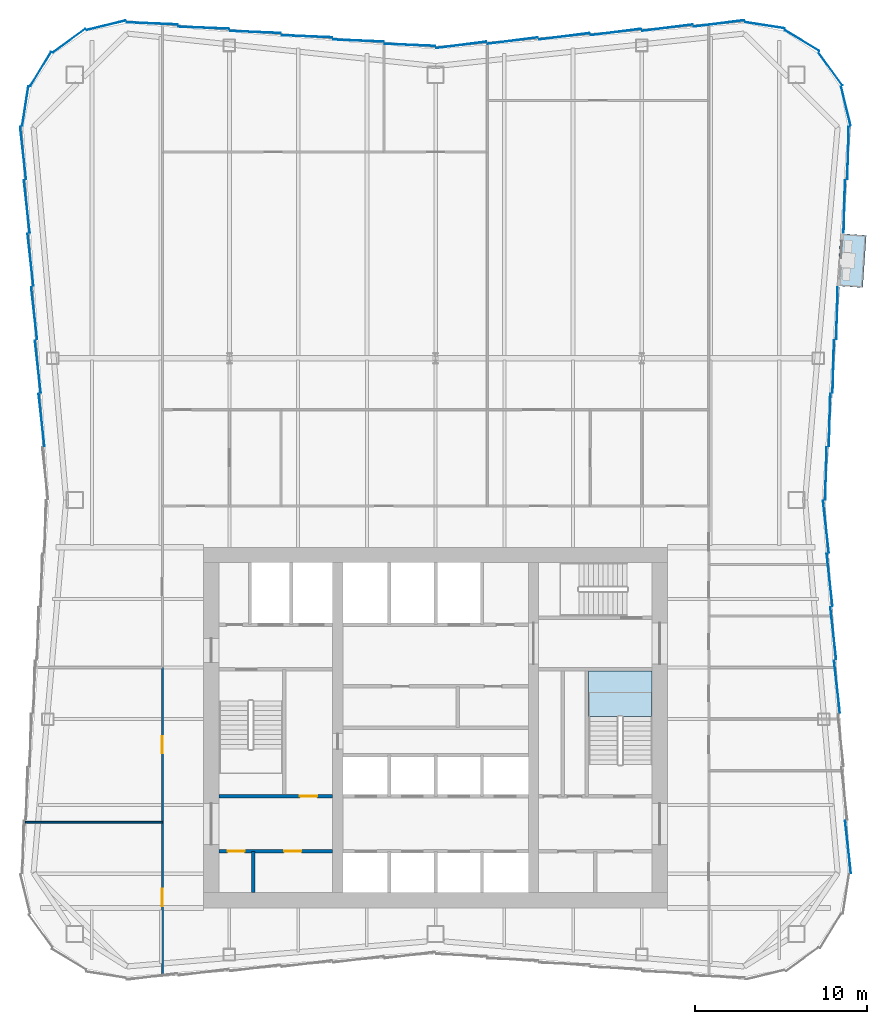
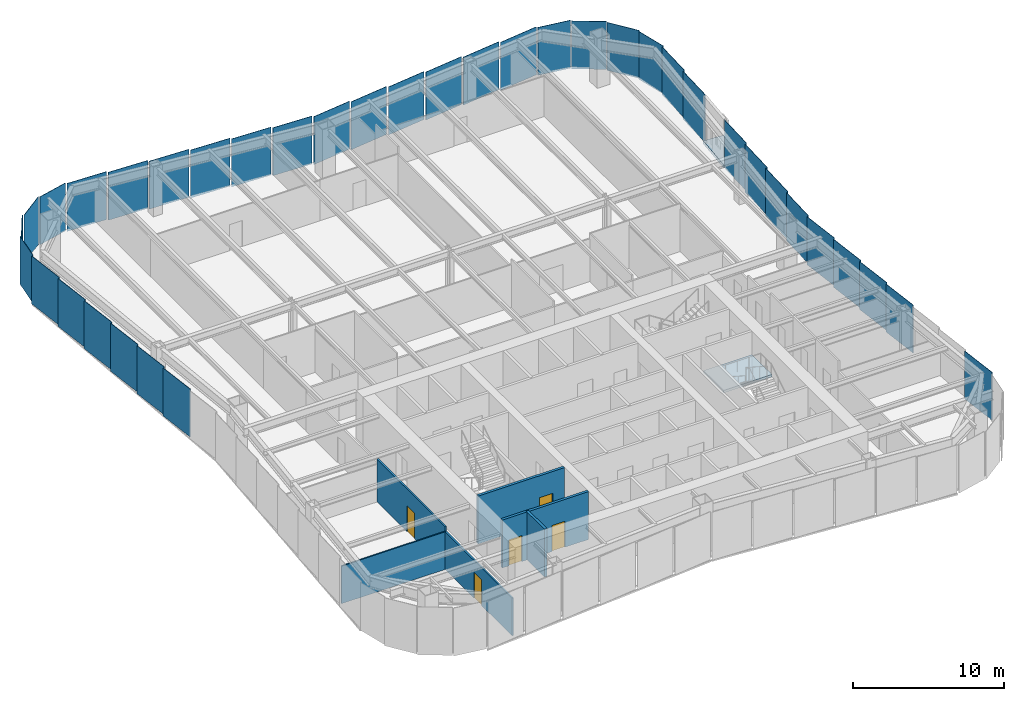
# One storey, part 4 of 10: 37 plates, 6 walls, 5 doors, 2 slabs, 5 openings, 6 elements without a shape of their own.
"""IFC4 building model written with IfcOpenShell, lengths in metres."""

from ifc_helpers import new_model, si_unit, direction, frame, frame_2d, origin, origin_2d, place, context, subcontext, project, spatial, polyline, rectangle, outline, extrude, material, layer, layer_set, type_object, element, fill, aggregate, save


model = new_model("IFC4")

# Units and contexts
model_context = context("Model", 3, precision=1e-05, world=origin(), true_north=direction((0.0, 1.0)))
body_context = subcontext(model_context, "Body", "Model", "MODEL_VIEW")
ifc_project = project(units=[si_unit("LENGTHUNIT", "METRE"), si_unit("AREAUNIT", "SQUARE_METRE"), si_unit("VOLUMEUNIT", "CUBIC_METRE"), si_unit("PLANEANGLEUNIT", "RADIAN"), si_unit("MASSUNIT", "GRAM", prefix="KILO")], contexts=[model_context])

# Site, building, storey
site_placement = place(None, origin())
site = spatial("IfcSite", under=ifc_project, at=site_placement, CompositionType="ELEMENT")
building_placement = place(site_placement, origin())
building = spatial("IfcBuilding", under=site, at=building_placement, Name="Verdant Reach Tower", CompositionType="ELEMENT")
storey_placement = place(building_placement, frame((0.0, 0.0, 210.0)))
storey = spatial("IfcBuildingStorey", under=building, at=storey_placement, Name="L48", CompositionType="ELEMENT", Elevation=210.0)

# Stair, slab
ifc_material_1 = material(Name="Concrete C40/50", Category="concrete")
stair_type = type_object("IfcStairType", Name="CO-STAIR", PredefinedType="HALF_TURN_STAIR", material=ifc_material_1)
stair_placement = place(storey_placement, origin())
stair = element("IfcStair", 1, at=stair_placement, inside=storey, type_object=stair_type, Name="L48 Exit stair 2", PredefinedType="HALF_TURN_STAIR")
ifc_layer_1 = layer(ifc_material_1, 0.199951171875)
ifc_layer_set_1 = layer_set([ifc_layer_1], Name="CO-STAIR-LANDING")
slab_type_1 = type_object("IfcSlabType", Name="CO-STAIR-LANDING", PredefinedType="LANDING", material=ifc_layer_set_1)
slab_1_placement = place(storey_placement, frame((0.0, 0.0, 1.800048828125)))
slab_1 = element("IfcSlab", 2, at=slab_1_placement, type_object=slab_type_1, Name="ST-2 landing 1", PredefinedType="LANDING", context=body_context, shape_type="SweptSolid", body=[
    extrude(outline(polyline([(12.60009765625, 28.64990234375), (12.60009765625, 31.300048828125), (8.89990234375, 31.300048828125), (8.89990234375, 28.64990234375), (12.60009765625, 28.64990234375)])), origin(), (0.0, 0.0, 1.0), 0.199951171875),
])
aggregate(stair, [slab_1])

# Slab
ifc_material_2 = material(Name="Concrete C35/45", Category="concrete")
ifc_layer_2 = layer(ifc_material_2, 0.25)
ifc_layer_set_2 = layer_set([ifc_layer_2], Name="EN-BALCONY SLAB")
slab_type_2 = type_object("IfcSlabType", Name="EN-BALCONY SLAB", PredefinedType="FLOOR", material=ifc_layer_set_2)
slab_2_placement = place(storey_placement, frame((0.0, 0.0, -0.25)))
element("IfcSlab", 3, at=slab_2_placement, inside=storey, type_object=slab_type_2, Name="Balcony slab 1, L48", PredefinedType="FLOOR", context=body_context, shape_type="SweptSolid", body=[
    extrude(outline(polyline([(23.359375, 53.71142578125), (23.569091796875, 56.752685546875), (25.065673828125, 56.649658203125), (24.85595703125, 53.6083984375), (23.359375, 53.71142578125)])), origin(), (0.0, 0.0, 1.0), 0.25),
])

# Curtain wall, plates
ifc_material_3 = material(Name="Anodised aluminium", Category="aluminium")
curtain_wall_type = type_object("IfcCurtainWallType", Name="EN-CW SYSTEM Z3", PredefinedType="NOTDEFINED", material=ifc_material_3)
curtain_wall_1_placement = place(storey_placement, origin())
curtain_wall_1 = element("IfcCurtainWall", 4, at=curtain_wall_1_placement, inside=storey, type_object=curtain_wall_type, Name="Curtain wall east, L48", PredefinedType="NOTDEFINED")
ifc_material_4 = material(Name="Tinted glass with champagne spandrel", Category="glass")
ifc_layer_3 = layer(ifc_material_4, 0.031982421875)
ifc_layer_set_3 = layer_set([ifc_layer_3], Name="EN-PANEL CHAMPAGNE")
plate_type_1 = type_object("IfcPlateType", Name="EN-PANEL CHAMPAGNE", PredefinedType="CURTAIN_PANEL", material=ifc_layer_set_3)
plate_1_placement = place(storey_placement, frame((23.14453125, 33.48974609375, -0.22412109375), z_axis=(0.0, 0.0, 1.0), x_axis=(-0.110518162674, 0.993874104562, 0.0)))
plate_1 = element("IfcPlate", 5, at=plate_1_placement, type_object=plate_type_1, Name="Glass panel east face part 1 5.1, L48", PredefinedType="CURTAIN_PANEL", context=body_context, shape_type="SweptSolid", body=[
    extrude(rectangle(XDim=3.052490234375, YDim=0.031982421875, at=origin_2d()), origin(), (0.0, 0.0, 1.0), 3.8740234375),
])
plate_2_placement = place(storey_placement, frame((22.93017578125, 36.5966796875, -0.22412109375), z_axis=(0.0, 0.0, 1.0), x_axis=(-0.110518162674, 0.993874104562, 0.0)))
plate_2 = element("IfcPlate", 6, at=plate_2_placement, type_object=plate_type_1, Name="Glass panel east face part 1 6.1, L48", PredefinedType="CURTAIN_PANEL", context=body_context, shape_type="SweptSolid", body=[
    extrude(rectangle(XDim=3.052490234375, YDim=0.031982421875, at=origin_2d()), origin(), (0.0, 0.0, 1.0), 3.8740234375),
])
plate_3_placement = place(storey_placement, frame((22.716064453125, 39.7001953125, -0.22412109375), z_axis=(0.0, 0.0, 1.0), x_axis=(-0.110600785385, 0.993864913493, 0.0)))
plate_3 = element("IfcPlate", 7, at=plate_3_placement, type_object=plate_type_1, Name="Glass panel east face part 1 7.1, L48", PredefinedType="CURTAIN_PANEL", context=body_context, shape_type="SweptSolid", body=[
    extrude(rectangle(XDim=3.044921875, YDim=0.031982421875, at=origin_2d()), origin(), (0.0, 0.0, 1.0), 3.8740234375),
])
plate_4_placement = place(storey_placement, frame((22.716064453125, 42.7998046875, -0.22412109375), z_axis=(0.0, 0.0, 1.0), x_axis=(0.027048420339, 0.999634124546, 0.0)))
plate_4 = element("IfcPlate", 8, at=plate_4_placement, type_object=plate_type_1, Name="Glass panel east face part 2 1.1, L48", PredefinedType="CURTAIN_PANEL", context=body_context, shape_type="SweptSolid", body=[
    extrude(rectangle(XDim=3.044921875, YDim=0.031982421875, at=origin_2d()), origin(), (0.0, 0.0, 1.0), 3.8740234375),
])
plate_5_placement = place(storey_placement, frame((24.001708984375, 61.446044921875, -0.22412109375), z_axis=(0.0, 0.0, 1.0), x_axis=(0.026659626966, 0.999644568979, 0.0)))
plate_5 = element("IfcPlate", 9, at=plate_5_placement, type_object=plate_type_1, Name="Glass panel east face part 2 7.1, L48", PredefinedType="CURTAIN_PANEL", context=body_context, shape_type="SweptSolid", body=[
    extrude(rectangle(XDim=3.06689453125, YDim=0.031982421875, at=origin_2d()), origin(), (0.0, 0.0, 1.0), 3.8740234375),
])

curtain_wall_2_placement = place(storey_placement, origin())
curtain_wall_2 = element("IfcCurtainWall", 10, at=curtain_wall_2_placement, inside=storey, type_object=curtain_wall_type, Name="Curtain wall north, L48", PredefinedType="NOTDEFINED")
plate_6_placement = place(storey_placement, frame((10.490966796875, 68.483642578125, -0.22412109375), z_axis=(0.0, 0.0, 1.0), x_axis=(-0.992194034542, -0.124703639961, 0.0)))
plate_6 = element("IfcPlate", 11, at=plate_6_placement, type_object=plate_type_1, Name="Glass panel north face part 1 3.1, L48", PredefinedType="CURTAIN_PANEL", context=body_context, shape_type="SweptSolid", body=[
    extrude(rectangle(XDim=2.948486328125, YDim=0.031982421875, at=origin_2d()), origin(), (0.0, 0.0, 1.0), 3.8740234375),
])
plate_7_placement = place(storey_placement, frame((7.490966796875, 68.233642578125, -0.22412109375), z_axis=(0.0, 0.0, 1.0), x_axis=(-0.992194034542, -0.124703639961, 0.0)))
plate_7 = element("IfcPlate", 12, at=plate_7_placement, type_object=plate_type_1, Name="Glass panel north face part 1 4.1, L48", PredefinedType="CURTAIN_PANEL", context=body_context, shape_type="SweptSolid", body=[
    extrude(rectangle(XDim=2.948486328125, YDim=0.031982421875, at=origin_2d()), origin(), (0.0, 0.0, 1.0), 3.8740234375),
])
plate_8_placement = place(storey_placement, frame((4.490966796875, 67.983642578125, -0.22412109375), z_axis=(0.0, 0.0, 1.0), x_axis=(-0.992194034542, -0.124703639961, 0.0)))
plate_8 = element("IfcPlate", 13, at=plate_8_placement, type_object=plate_type_1, Name="Glass panel north face part 1 5.1, L48", PredefinedType="CURTAIN_PANEL", context=body_context, shape_type="SweptSolid", body=[
    extrude(rectangle(XDim=2.948486328125, YDim=0.031982421875, at=origin_2d()), origin(), (0.0, 0.0, 1.0), 3.8740234375),
])
plate_9_placement = place(storey_placement, frame((-13.490966796875, 68.733642578125, -0.22412109375), z_axis=(0.0, 0.0, 1.0), x_axis=(-0.999149202059, 0.041241629766, 0.0)))
plate_9 = element("IfcPlate", 14, at=plate_9_placement, type_object=plate_type_1, Name="Glass panel north face part 2 5.1, L48", PredefinedType="CURTAIN_PANEL", context=body_context, shape_type="SweptSolid", body=[
    extrude(rectangle(XDim=2.948486328125, YDim=0.031982421875, at=origin_2d()), origin(), (0.0, 0.0, 1.0), 3.8740234375),
])
plate_10_placement = place(storey_placement, frame((-16.49853515625, 68.983642578125, -0.22412109375), z_axis=(0.0, 0.0, 1.0), x_axis=(-0.999163623568, 0.040890748818, 0.0)))
plate_10 = element("IfcPlate", 15, at=plate_10_placement, type_object=plate_type_1, Name="Glass panel north face part 2 6.1, L48", PredefinedType="CURTAIN_PANEL", context=body_context, shape_type="SweptSolid", body=[
    extrude(rectangle(XDim=2.963623046875, YDim=0.031982421875, at=origin_2d()), origin(), (0.0, 0.0, 1.0), 3.8740234375),
])

curtain_wall_3_placement = place(storey_placement, origin())
curtain_wall_3 = element("IfcCurtainWall", 16, at=curtain_wall_3_placement, inside=storey, type_object=curtain_wall_type, Name="Curtain wall north-west corner, L48", PredefinedType="NOTDEFINED")
plate_11_placement = place(storey_placement, frame((-22.98193359375, 66.328857421875, -0.22412109375), z_axis=(0.0, 0.0, 1.0), x_axis=(-0.520291550457, -0.853988701636, 0.0)))
plate_11 = element("IfcPlate", 17, at=plate_11_placement, type_object=plate_type_1, Name="Glass panel north-west corner 3.1, L48", PredefinedType="CURTAIN_PANEL", context=body_context, shape_type="SweptSolid", body=[
    extrude(rectangle(XDim=2.321533203125, YDim=0.031982421875, at=origin_2d()), origin(), (0.0, 0.0, 1.0), 3.8740234375),
])
plate_12_placement = place(storey_placement, frame((-23.87646484375, 64.17236328125, -0.22412109375), z_axis=(0.0, 0.0, 1.0), x_axis=(-0.154311870796, -0.988022189291, 0.0)))
plate_12 = element("IfcPlate", 18, at=plate_12_placement, type_object=plate_type_1, Name="Glass panel north-west corner 4.1, L48", PredefinedType="CURTAIN_PANEL", context=body_context, shape_type="SweptSolid", body=[
    extrude(rectangle(XDim=2.314697265625, YDim=0.031982421875, at=origin_2d()), origin(), (0.0, 0.0, 1.0), 3.8740234375),
])

curtain_wall_4_placement = place(storey_placement, origin())
curtain_wall_4 = element("IfcCurtainWall", 19, at=curtain_wall_4_placement, inside=storey, type_object=curtain_wall_type, Name="Curtain wall west, L48", PredefinedType="NOTDEFINED")
plate_13_placement = place(storey_placement, frame((-23.787353515625, 58.331787109375, -0.22412109375), z_axis=(0.0, 0.0, 1.0), x_axis=(0.110518162674, -0.993874104562, 0.0)))
plate_13 = element("IfcPlate", 20, at=plate_13_placement, type_object=plate_type_1, Name="Glass panel west face part 1 2.1, L48", PredefinedType="CURTAIN_PANEL", context=body_context, shape_type="SweptSolid", body=[
    extrude(rectangle(XDim=3.052490234375, YDim=0.031982421875, at=origin_2d()), origin(), (0.0, 0.0, 1.0), 3.8740234375),
])
plate_14_placement = place(storey_placement, frame((-23.572998046875, 55.224609375, -0.22412109375), z_axis=(0.0, 0.0, 1.0), x_axis=(0.110518162674, -0.993874104562, 0.0)))
plate_14 = element("IfcPlate", 21, at=plate_14_placement, type_object=plate_type_1, Name="Glass panel west face part 1 3.1, L48", PredefinedType="CURTAIN_PANEL", context=body_context, shape_type="SweptSolid", body=[
    extrude(rectangle(XDim=3.052490234375, YDim=0.031982421875, at=origin_2d()), origin(), (0.0, 0.0, 1.0), 3.8740234375),
])

# Plate
ifc_material_5 = material(Name="Tinted glass with copper spandrel", Category="glass")
ifc_layer_4 = layer(ifc_material_5, 0.031982421875)
ifc_layer_set_4 = layer_set([ifc_layer_4], Name="EN-PANEL COPPER")
plate_type_2 = type_object("IfcPlateType", Name="EN-PANEL COPPER", PredefinedType="CURTAIN_PANEL", material=ifc_layer_set_4)
plate_15_placement = place(storey_placement, frame((24.001708984375, 21.053955078125, -0.22412109375), z_axis=(0.0, 0.0, 1.0), x_axis=(-0.110214229533, 0.993907854687, 0.0)))
plate_15 = element("IfcPlate", 22, at=plate_15_placement, type_object=plate_type_2, Name="Glass panel east face part 1 1.1, L48", PredefinedType="CURTAIN_PANEL", context=body_context, shape_type="SweptSolid", body=[
    extrude(rectangle(XDim=3.06689453125, YDim=0.031982421875, at=origin_2d()), origin(), (0.0, 0.0, 1.0), 3.8740234375),
])

plate_16_placement = place(storey_placement, frame((22.93017578125, 45.9033203125, -0.22412109375), z_axis=(0.0, 0.0, 1.0), x_axis=(0.026965318308, 0.999636369691, 0.0)))
plate_16 = element("IfcPlate", 23, at=plate_16_placement, type_object=plate_type_2, Name="Glass panel east face part 2 2.1, L48", PredefinedType="CURTAIN_PANEL", context=body_context, shape_type="SweptSolid", body=[
    extrude(rectangle(XDim=3.052490234375, YDim=0.031982421875, at=origin_2d()), origin(), (0.0, 0.0, 1.0), 3.8740234375),
])

plate_17_placement = place(storey_placement, frame((23.14453125, 49.01025390625, -0.22412109375), z_axis=(0.0, 0.0, 1.0), x_axis=(0.026965318308, 0.999636369691, 0.0)))
plate_17 = element("IfcPlate", 24, at=plate_17_placement, type_object=plate_type_2, Name="Glass panel east face part 2 3.1, L48", PredefinedType="CURTAIN_PANEL", context=body_context, shape_type="SweptSolid", body=[
    extrude(rectangle(XDim=3.052490234375, YDim=0.031982421875, at=origin_2d()), origin(), (0.0, 0.0, 1.0), 3.8740234375),
])

# Curtain wall, plates
curtain_wall_5_placement = place(storey_placement, origin())
curtain_wall_5 = element("IfcCurtainWall", 25, at=curtain_wall_5_placement, inside=storey, type_object=curtain_wall_type, Name="Curtain wall north-east corner, L48", PredefinedType="NOTDEFINED")
plate_18_placement = place(storey_placement, frame((23.87646484375, 64.17236328125, -0.22412109375), z_axis=(0.0, 0.0, 1.0), x_axis=(-0.23644624331, 0.97164457186, 0.0)))
plate_18 = element("IfcPlate", 26, at=plate_18_placement, type_object=plate_type_2, Name="Glass panel north-east corner 1.1, L48", PredefinedType="CURTAIN_PANEL", context=body_context, shape_type="SweptSolid", body=[
    extrude(rectangle(XDim=2.314697265625, YDim=0.031982421875, at=origin_2d()), origin(), (0.0, 0.0, 1.0), 3.8740234375),
])
plate_19_placement = place(storey_placement, frame((22.98193359375, 66.328857421875, -0.22412109375), z_axis=(0.0, 0.0, 1.0), x_axis=(-0.589926747542, 0.807456768214, 0.0)))
plate_19 = element("IfcPlate", 27, at=plate_19_placement, type_object=plate_type_2, Name="Glass panel north-east corner 2.1, L48", PredefinedType="CURTAIN_PANEL", context=body_context, shape_type="SweptSolid", body=[
    extrude(rectangle(XDim=2.321533203125, YDim=0.031982421875, at=origin_2d()), origin(), (0.0, 0.0, 1.0), 3.8740234375),
])

# Plate
plate_20_placement = place(storey_placement, frame((1.495361328125, 67.73388671875, -0.22412109375), z_axis=(0.0, 0.0, 1.0), x_axis=(-0.992178382939, -0.124828107529, 0.0)))
plate_20 = element("IfcPlate", 28, at=plate_20_placement, type_object=plate_type_2, Name="Glass panel north face part 1 6.1, L48", PredefinedType="CURTAIN_PANEL", context=body_context, shape_type="SweptSolid", body=[
    extrude(rectangle(XDim=2.939453125, YDim=0.031982421875, at=origin_2d()), origin(), (0.0, 0.0, 1.0), 3.8740234375),
])

plate_21_placement = place(storey_placement, frame((-1.495361328125, 67.73388671875, -0.22412109375), z_axis=(0.0, 0.0, 1.0), x_axis=(-0.999144020525, 0.041366970501, 0.0)))
plate_21 = element("IfcPlate", 29, at=plate_21_placement, type_object=plate_type_2, Name="Glass panel north face part 2 1.1, L48", PredefinedType="CURTAIN_PANEL", context=body_context, shape_type="SweptSolid", body=[
    extrude(rectangle(XDim=2.939453125, YDim=0.031982421875, at=origin_2d()), origin(), (0.0, 0.0, 1.0), 3.8740234375),
])

plate_22_placement = place(storey_placement, frame((-23.358642578125, 52.117431640625, -0.22412109375), z_axis=(0.0, 0.0, 1.0), x_axis=(0.110518162674, -0.993874104562, 0.0)))
plate_22 = element("IfcPlate", 30, at=plate_22_placement, type_object=plate_type_2, Name="Glass panel west face part 1 4.1, L48", PredefinedType="CURTAIN_PANEL", context=body_context, shape_type="SweptSolid", body=[
    extrude(rectangle(XDim=3.052490234375, YDim=0.031982421875, at=origin_2d()), origin(), (0.0, 0.0, 1.0), 3.8740234375),
])

plate_23_placement = place(storey_placement, frame((-23.14453125, 49.01025390625, -0.22412109375), z_axis=(0.0, 0.0, 1.0), x_axis=(0.110518162674, -0.993874104562, 0.0)))
plate_23 = element("IfcPlate", 31, at=plate_23_placement, type_object=plate_type_2, Name="Glass panel west face part 1 5.1, L48", PredefinedType="CURTAIN_PANEL", context=body_context, shape_type="SweptSolid", body=[
    extrude(rectangle(XDim=3.052490234375, YDim=0.031982421875, at=origin_2d()), origin(), (0.0, 0.0, 1.0), 3.8740234375),
])

plate_24_placement = place(storey_placement, frame((-22.93017578125, 45.9033203125, -0.22412109375), z_axis=(0.0, 0.0, 1.0), x_axis=(0.110518162674, -0.993874104562, 0.0)))
plate_24 = element("IfcPlate", 32, at=plate_24_placement, type_object=plate_type_2, Name="Glass panel west face part 1 6.1, L48", PredefinedType="CURTAIN_PANEL", context=body_context, shape_type="SweptSolid", body=[
    extrude(rectangle(XDim=3.052490234375, YDim=0.031982421875, at=origin_2d()), origin(), (0.0, 0.0, 1.0), 3.8740234375),
])

ifc_material_6 = material(Name="Tinted glass with dark bronze spandrel", Category="glass")
ifc_layer_5 = layer(ifc_material_6, 0.031982421875)
ifc_layer_set_5 = layer_set([ifc_layer_5], Name="EN-PANEL DARK")
plate_type_3 = type_object("IfcPlateType", Name="EN-PANEL DARK", PredefinedType="CURTAIN_PANEL", material=ifc_layer_set_5)
plate_25_placement = place(storey_placement, frame((23.358642578125, 30.382568359375, -0.22412109375), z_axis=(0.0, 0.0, 1.0), x_axis=(-0.110518162674, 0.993874104562, 0.0)))
plate_25 = element("IfcPlate", 33, at=plate_25_placement, type_object=plate_type_3, Name="Glass panel east face part 1 4.1, L48", PredefinedType="CURTAIN_PANEL", context=body_context, shape_type="SweptSolid", body=[
    extrude(rectangle(XDim=3.052490234375, YDim=0.031982421875, at=origin_2d()), origin(), (0.0, 0.0, 1.0), 3.8740234375),
])

plate_26_placement = place(storey_placement, frame((23.358642578125, 52.117431640625, -0.22412109375), z_axis=(0.0, 0.0, 1.0), x_axis=(0.026965318308, 0.999636369691, 0.0)))
plate_26 = element("IfcPlate", 34, at=plate_26_placement, type_object=plate_type_3, Name="Glass panel east face part 2 4.1, L48", PredefinedType="CURTAIN_PANEL", context=body_context, shape_type="SweptSolid", body=[
    extrude(rectangle(XDim=3.052490234375, YDim=0.031982421875, at=origin_2d()), origin(), (0.0, 0.0, 1.0), 3.8740234375),
])

plate_27_placement = place(storey_placement, frame((23.787353515625, 58.331787109375, -0.22412109375), z_axis=(0.0, 0.0, 1.0), x_axis=(0.026965318308, 0.999636369691, 0.0)))
plate_27 = element("IfcPlate", 35, at=plate_27_placement, type_object=plate_type_3, Name="Glass panel east face part 2 6.1, L48", PredefinedType="CURTAIN_PANEL", context=body_context, shape_type="SweptSolid", body=[
    extrude(rectangle(XDim=3.052490234375, YDim=0.031982421875, at=origin_2d()), origin(), (0.0, 0.0, 1.0), 3.8740234375),
])

aggregate(curtain_wall_1, [plate_15, plate_25, plate_1, plate_2, plate_3, plate_4, plate_16, plate_17, plate_26, plate_27, plate_5])

plate_28_placement = place(storey_placement, frame((21.328857421875, 67.98193359375, -0.22412109375), z_axis=(0.0, 0.0, 1.0), x_axis=(-0.853988701636, 0.520291550457, 0.0)))
plate_28 = element("IfcPlate", 36, at=plate_28_placement, type_object=plate_type_3, Name="Glass panel north-east corner 3.1, L48", PredefinedType="CURTAIN_PANEL", context=body_context, shape_type="SweptSolid", body=[
    extrude(rectangle(XDim=2.321533203125, YDim=0.031982421875, at=origin_2d()), origin(), (0.0, 0.0, 1.0), 3.8740234375),
])

plate_29_placement = place(storey_placement, frame((19.171875, 68.87646484375, -0.22412109375), z_axis=(0.0, 0.0, 1.0), x_axis=(-0.988029071555, 0.154267798848, 0.0)))
plate_29 = element("IfcPlate", 37, at=plate_29_placement, type_object=plate_type_3, Name="Glass panel north-east corner 4.1, L48", PredefinedType="CURTAIN_PANEL", context=body_context, shape_type="SweptSolid", body=[
    extrude(rectangle(XDim=2.3154296875, YDim=0.031982421875, at=origin_2d()), origin(), (0.0, 0.0, 1.0), 3.8740234375),
])

aggregate(curtain_wall_5, [plate_18, plate_19, plate_28, plate_29])

plate_30_placement = place(storey_placement, frame((16.49853515625, 68.983642578125, -0.22412109375), z_axis=(0.0, 0.0, 1.0), x_axis=(-0.992237766434, -0.124355196363, 0.0)))
plate_30 = element("IfcPlate", 38, at=plate_30_placement, type_object=plate_type_3, Name="Glass panel north face part 1 1.1, L48", PredefinedType="CURTAIN_PANEL", context=body_context, shape_type="SweptSolid", body=[
    extrude(rectangle(XDim=2.963623046875, YDim=0.031982421875, at=origin_2d()), origin(), (0.0, 0.0, 1.0), 3.8740234375),
])

plate_31_placement = place(storey_placement, frame((13.490966796875, 68.733642578125, -0.22412109375), z_axis=(0.0, 0.0, 1.0), x_axis=(-0.992194034542, -0.124703639961, 0.0)))
plate_31 = element("IfcPlate", 39, at=plate_31_placement, type_object=plate_type_3, Name="Glass panel north face part 1 2.1, L48", PredefinedType="CURTAIN_PANEL", context=body_context, shape_type="SweptSolid", body=[
    extrude(rectangle(XDim=2.948486328125, YDim=0.031982421875, at=origin_2d()), origin(), (0.0, 0.0, 1.0), 3.8740234375),
])

plate_32_placement = place(storey_placement, frame((-4.490966796875, 67.983642578125, -0.22412109375), z_axis=(0.0, 0.0, 1.0), x_axis=(-0.999149202059, 0.041241629766, 0.0)))
plate_32 = element("IfcPlate", 40, at=plate_32_placement, type_object=plate_type_3, Name="Glass panel north face part 2 2.1, L48", PredefinedType="CURTAIN_PANEL", context=body_context, shape_type="SweptSolid", body=[
    extrude(rectangle(XDim=2.948486328125, YDim=0.031982421875, at=origin_2d()), origin(), (0.0, 0.0, 1.0), 3.8740234375),
])

plate_33_placement = place(storey_placement, frame((-7.490966796875, 68.233642578125, -0.22412109375), z_axis=(0.0, 0.0, 1.0), x_axis=(-0.999149202059, 0.041241629766, 0.0)))
plate_33 = element("IfcPlate", 41, at=plate_33_placement, type_object=plate_type_3, Name="Glass panel north face part 2 3.1, L48", PredefinedType="CURTAIN_PANEL", context=body_context, shape_type="SweptSolid", body=[
    extrude(rectangle(XDim=2.948486328125, YDim=0.031982421875, at=origin_2d()), origin(), (0.0, 0.0, 1.0), 3.8740234375),
])

plate_34_placement = place(storey_placement, frame((-10.490966796875, 68.483642578125, -0.22412109375), z_axis=(0.0, 0.0, 1.0), x_axis=(-0.999149202059, 0.041241629766, 0.0)))
plate_34 = element("IfcPlate", 42, at=plate_34_placement, type_object=plate_type_3, Name="Glass panel north face part 2 4.1, L48", PredefinedType="CURTAIN_PANEL", context=body_context, shape_type="SweptSolid", body=[
    extrude(rectangle(XDim=2.948486328125, YDim=0.031982421875, at=origin_2d()), origin(), (0.0, 0.0, 1.0), 3.8740234375),
])

aggregate(curtain_wall_2, [plate_30, plate_31, plate_6, plate_7, plate_8, plate_20, plate_21, plate_32, plate_33, plate_34, plate_9, plate_10])

plate_35_placement = place(storey_placement, frame((-19.171875, 68.87646484375, -0.22412109375), z_axis=(0.0, 0.0, 1.0), x_axis=(-0.971655117833, -0.236402901821, 0.0)))
plate_35 = element("IfcPlate", 43, at=plate_35_placement, type_object=plate_type_3, Name="Glass panel north-west corner 1.1, L48", PredefinedType="CURTAIN_PANEL", context=body_context, shape_type="SweptSolid", body=[
    extrude(rectangle(XDim=2.3154296875, YDim=0.031982421875, at=origin_2d()), origin(), (0.0, 0.0, 1.0), 3.8740234375),
])

plate_36_placement = place(storey_placement, frame((-21.328857421875, 67.98193359375, -0.22412109375), z_axis=(0.0, 0.0, 1.0), x_axis=(-0.807456768214, -0.589926747542, 0.0)))
plate_36 = element("IfcPlate", 44, at=plate_36_placement, type_object=plate_type_3, Name="Glass panel north-west corner 2.1, L48", PredefinedType="CURTAIN_PANEL", context=body_context, shape_type="SweptSolid", body=[
    extrude(rectangle(XDim=2.321533203125, YDim=0.031982421875, at=origin_2d()), origin(), (0.0, 0.0, 1.0), 3.8740234375),
])

aggregate(curtain_wall_3, [plate_35, plate_36, plate_11, plate_12])

plate_37_placement = place(storey_placement, frame((-24.001708984375, 61.446044921875, -0.22412109375), z_axis=(0.0, 0.0, 1.0), x_axis=(0.110214229533, -0.993907854687, 0.0)))
plate_37 = element("IfcPlate", 45, at=plate_37_placement, type_object=plate_type_3, Name="Glass panel west face part 1 1.1, L48", PredefinedType="CURTAIN_PANEL", context=body_context, shape_type="SweptSolid", body=[
    extrude(rectangle(XDim=3.06689453125, YDim=0.031982421875, at=origin_2d()), origin(), (0.0, 0.0, 1.0), 3.8740234375),
])

aggregate(curtain_wall_4, [plate_37, plate_13, plate_14, plate_22, plate_23, plate_24])

# Wall, openings, doors
ifc_material_7 = material(Name="Gypsum board on steel studs", Category="steel")
ifc_layer_6 = layer(ifc_material_7, 0.199951171875)
ifc_layer_set_6 = layer_set([ifc_layer_6], Name="CO-WALL-ROOM")
wall_type_1 = type_object("IfcWallType", Name="CO-WALL-ROOM", PredefinedType="PARTITIONING", material=ifc_layer_set_6)
wall_1_placement = place(storey_placement, frame((-12.60009765625, 20.800048828125, 0.0), z_axis=(0.0, 0.0, 1.0), x_axis=(1.0, 0.0, 0.0)))
wall_1 = element("IfcWall", 46, at=wall_1_placement, inside=storey, type_object=wall_type_1, Name="Core partition, L48", PredefinedType="PARTITIONING", context=body_context, shape_type="SweptSolid", body=[
    extrude(rectangle(XDim=6.60009765625, YDim=0.199951171875, at=frame_2d((3.300048828125, 0.0))), origin(), (0.0, 0.0, 1.0), 3.8701171875),
])
opening_1_placement = place(wall_1_placement, frame((0.489990234375, 0.0, 0.0)))
opening_1 = element("IfcOpeningElement", 47, at=opening_1_placement, cuts=wall_1, Name="Opening CD", PredefinedType="OPENING", context=body_context, shape_type="SweptSolid", body=[
    extrude(rectangle(XDim=1.0, YDim=2.10009765625, at=frame_2d((0.5, 1.050048828125))), frame((0.0, 0.10986328125, 0.0), z_axis=(0.0, -1.0, 0.0), x_axis=(1.0, 0.0, 0.0)), (0.0, 0.0, 1.0), 0.219970703125),
])
opening_2_placement = place(wall_1_placement, frame((3.7900390625, 0.0, 0.0)))
opening_2 = element("IfcOpeningElement", 48, at=opening_2_placement, cuts=wall_1, Name="Opening CD", PredefinedType="OPENING", context=body_context, shape_type="SweptSolid", body=[
    extrude(rectangle(XDim=1.0, YDim=2.10009765625, at=frame_2d((0.5, 1.050048828125))), frame((0.0, 0.10986328125, 0.0), z_axis=(0.0, -1.0, 0.0), x_axis=(1.0, 0.0, 0.0)), (0.0, 0.0, 1.0), 0.219970703125),
])
ifc_material_8 = material(Name="Timber", Category="wood")
door_type_1 = type_object("IfcDoorType", Name="CO-DOOR-ROOM", OperationType="NOTDEFINED", PredefinedType="DOOR", material=ifc_material_8)
door_1_placement = place(opening_1_placement, origin())
door_1 = element("IfcDoor", 49, at=door_1_placement, inside=storey, type_object=door_type_1, Name="Core room door, L48", OperationType="SINGLE_SWING_RIGHT", OverallHeight=2.10009765625, OverallWidth=1.0, PredefinedType="DOOR", context=body_context, shape_type="SweptSolid", body=[
    extrude(rectangle(XDim=1.0, YDim=2.10009765625, at=frame_2d((0.5, 1.050048828125))), frame((0.0, 0.02490234375, 0.0), z_axis=(0.0, -1.0, 0.0), x_axis=(1.0, 0.0, 0.0)), (0.0, 0.0, 1.0), 0.050048828125),
])
fill(opening_1, door_1)
door_2_placement = place(opening_2_placement, origin())
door_2 = element("IfcDoor", 50, at=door_2_placement, inside=storey, type_object=door_type_1, Name="Core room door, L48", OperationType="SINGLE_SWING_RIGHT", OverallHeight=2.10009765625, OverallWidth=1.0, PredefinedType="DOOR", context=body_context, shape_type="SweptSolid", body=[
    extrude(rectangle(XDim=1.0, YDim=2.10009765625, at=frame_2d((0.5, 1.050048828125))), frame((0.0, 0.02490234375, 0.0), z_axis=(0.0, -1.0, 0.0), x_axis=(1.0, 0.0, 0.0)), (0.0, 0.0, 1.0), 0.050048828125),
])
fill(opening_2, door_2)

# Wall
wall_2_placement = place(storey_placement, frame((-10.6201171875, 18.39990234375, 0.0), z_axis=(0.0, 0.0, 1.0), x_axis=(0.0, 1.0, 0.0)))
element("IfcWall", 51, at=wall_2_placement, inside=storey, type_object=wall_type_1, Name="Core partition, L48", PredefinedType="PARTITIONING", context=body_context, shape_type="SweptSolid", body=[
    extrude(rectangle(XDim=2.400146484375, YDim=0.199951171875, at=frame_2d((1.2001953125, 0.0))), origin(), (0.0, 0.0, 1.0), 3.8701171875),
])

# Wall, opening, door
ifc_layer_7 = layer(ifc_material_1, 0.199951171875)
ifc_layer_set_7 = layer_set([ifc_layer_7], Name="CO-WALL-STAIR")
wall_type_2 = type_object("IfcWallType", Name="CO-WALL-STAIR", PredefinedType="PARTITIONING", material=ifc_layer_set_7)
wall_3_placement = place(storey_placement, frame((-12.60009765625, 24.0, 0.0), z_axis=(0.0, 0.0, 1.0), x_axis=(1.0, 0.0, 0.0)))
wall_3 = element("IfcWall", 52, at=wall_3_placement, inside=storey, type_object=wall_type_2, Name="Stair enclosure wall, L48", PredefinedType="PARTITIONING", context=body_context, shape_type="SweptSolid", body=[
    extrude(rectangle(XDim=6.60009765625, YDim=0.199951171875, at=frame_2d((3.300048828125, 0.0))), origin(), (0.0, 0.0, 1.0), 3.8701171875),
])
opening_3_placement = place(wall_3_placement, frame((4.699951171875, 0.0, 0.0)))
opening_3 = element("IfcOpeningElement", 53, at=opening_3_placement, cuts=wall_3, Name="Opening CD", PredefinedType="OPENING", context=body_context, shape_type="SweptSolid", body=[
    extrude(rectangle(XDim=1.0, YDim=2.10009765625, at=frame_2d((0.5, 1.050048828125))), frame((0.0, 0.10986328125, 0.0), z_axis=(0.0, -1.0, 0.0), x_axis=(1.0, 0.0, 0.0)), (0.0, 0.0, 1.0), 0.219970703125),
])
door_3_placement = place(opening_3_placement, origin())
door_3 = element("IfcDoor", 54, at=door_3_placement, inside=storey, type_object=door_type_1, Name="Core room door, L48", OperationType="SINGLE_SWING_RIGHT", OverallHeight=2.10009765625, OverallWidth=1.0, PredefinedType="DOOR", context=body_context, shape_type="SweptSolid", body=[
    extrude(rectangle(XDim=1.0, YDim=2.10009765625, at=frame_2d((0.5, 1.050048828125))), frame((0.0, 0.02490234375, 0.0), z_axis=(0.0, -1.0, 0.0), x_axis=(1.0, 0.0, 0.0)), (0.0, 0.0, 1.0), 0.050048828125),
])
fill(opening_3, door_3)

# Wall
ifc_layer_8 = layer(ifc_material_7, 0.10009765625)
ifc_layer_set_8 = layer_set([ifc_layer_8], Name="FL-W1 Partition 100")
wall_type_3 = type_object("IfcWallType", Name="FL-W1 Partition 100", PredefinedType="PARTITIONING", material=ifc_layer_set_8)
wall_4_placement = place(storey_placement, frame((-15.89990234375, 22.5, 0.0), z_axis=(0.0, 0.0, 1.0), x_axis=(-1.0, 0.0, 0.0)))
element("IfcWall", 55, at=wall_4_placement, inside=storey, type_object=wall_type_3, Name="Partition 48.40", PredefinedType="PARTITIONING", context=body_context, shape_type="SweptSolid", body=[
    extrude(rectangle(XDim=7.97314453125, YDim=0.10009765625, at=frame_2d((3.986572265625, 0.0))), origin(), (0.0, 0.0, 1.0), 3.0400390625),
])

# Wall, opening, door
ifc_material_9 = material(Name="Gypsum board on steel studs, fire rated", Category="steel")
ifc_layer_9 = layer(ifc_material_9, 0.125)
ifc_layer_set_9 = layer_set([ifc_layer_9], Name="FL-W2 Corridor wall 125")
wall_type_4 = type_object("IfcWallType", Name="FL-W2 Corridor wall 125", PredefinedType="PARTITIONING", material=ifc_layer_set_9)
wall_5_placement = place(storey_placement, frame((-15.89990234375, 13.594970703125, 0.0), z_axis=(0.0, 0.0, 1.0), x_axis=(0.0, 1.0, 0.0)))
wall_5 = element("IfcWall", 56, at=wall_5_placement, inside=storey, type_object=wall_type_4, Name="Partition 48.07", PredefinedType="PARTITIONING", context=body_context, shape_type="SweptSolid", body=[
    extrude(rectangle(XDim=8.905029296875, YDim=0.125, at=frame_2d((4.45263671875, 0.0))), origin(), (0.0, 0.0, 1.0), 3.0400390625),
])
opening_4_placement = place(wall_5_placement, frame((4.017578125, 0.0, 0.0)))
opening_4 = element("IfcOpeningElement", 57, at=opening_4_placement, cuts=wall_5, Name="Opening D2", PredefinedType="OPENING", context=body_context, shape_type="SweptSolid", body=[
    extrude(rectangle(XDim=1.0, YDim=2.10009765625, at=frame_2d((0.5, 1.050048828125))), frame((0.0, 0.072509765625, 0.0), z_axis=(0.0, -1.0, 0.0), x_axis=(1.0, 0.0, 0.0)), (0.0, 0.0, 1.0), 0.14501953125),
])
ifc_material_10 = material(Name="Timber door leaf, fire rated", Category="wood")
door_type_2 = type_object("IfcDoorType", Name="FL-D2 Entrance door 1000x2100 FD30", OperationType="NOTDEFINED", PredefinedType="DOOR", material=ifc_material_10)
door_4_placement = place(opening_4_placement, origin())
door_4 = element("IfcDoor", 58, at=door_4_placement, inside=storey, type_object=door_type_2, Name="Door 48-005", OperationType="SINGLE_SWING_RIGHT", OverallHeight=2.10009765625, OverallWidth=1.0, PredefinedType="DOOR", context=body_context, shape_type="SweptSolid", body=[
    extrude(rectangle(XDim=1.0, YDim=2.10009765625, at=frame_2d((0.5, 1.050048828125))), frame((0.0, 0.02490234375, 0.0), z_axis=(0.0, -1.0, 0.0), x_axis=(1.0, 0.0, 0.0)), (0.0, 0.0, 1.0), 0.050048828125),
])
fill(opening_4, door_4)

wall_6_placement = place(storey_placement, frame((-15.89990234375, 22.5, 0.0), z_axis=(0.0, 0.0, 1.0), x_axis=(0.0, 1.0, 0.0)))
wall_6 = element("IfcWall", 59, at=wall_6_placement, inside=storey, type_object=wall_type_4, Name="Partition 48.08", PredefinedType="PARTITIONING", context=body_context, shape_type="SweptSolid", body=[
    extrude(rectangle(XDim=9.0, YDim=0.125, at=frame_2d((4.5, 0.0))), origin(), (0.0, 0.0, 1.0), 3.43994140625),
])
opening_5_placement = place(wall_6_placement, frame((4.0, 0.0, 0.0)))
opening_5 = element("IfcOpeningElement", 60, at=opening_5_placement, cuts=wall_6, Name="Opening D2", PredefinedType="OPENING", context=body_context, shape_type="SweptSolid", body=[
    extrude(rectangle(XDim=1.0, YDim=2.10009765625, at=frame_2d((0.5, 1.050048828125))), frame((0.0, 0.072509765625, 0.0), z_axis=(0.0, -1.0, 0.0), x_axis=(1.0, 0.0, 0.0)), (0.0, 0.0, 1.0), 0.14501953125),
])
door_5_placement = place(opening_5_placement, origin())
door_5 = element("IfcDoor", 61, at=door_5_placement, inside=storey, type_object=door_type_2, Name="Door 48-006", OperationType="SINGLE_SWING_RIGHT", OverallHeight=2.10009765625, OverallWidth=1.0, PredefinedType="DOOR", context=body_context, shape_type="SweptSolid", body=[
    extrude(rectangle(XDim=1.0, YDim=2.10009765625, at=frame_2d((0.5, 1.050048828125))), frame((0.0, 0.02490234375, 0.0), z_axis=(0.0, -1.0, 0.0), x_axis=(1.0, 0.0, 0.0)), (0.0, 0.0, 1.0), 0.050048828125),
])
fill(opening_5, door_5)

save(model, "model.ifc")
